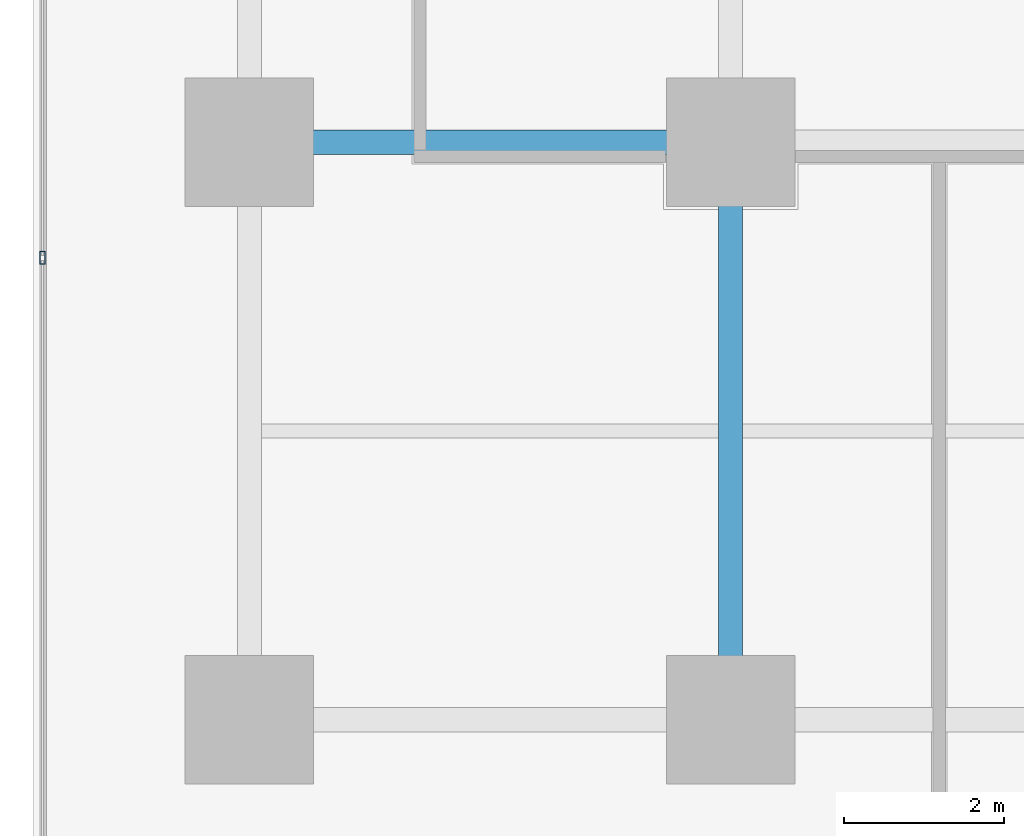
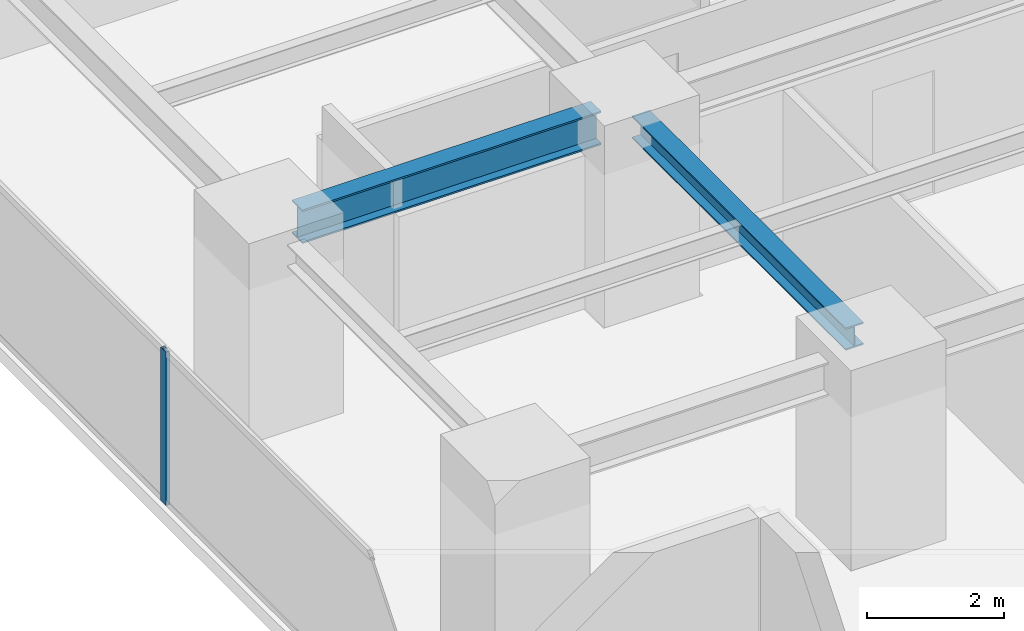
# One storey, part 4 of 34: 2 beams, 1 member, 1 element without a shape of its own.
"""IFC4 building model written with IfcOpenShell, lengths in metres."""

from ifc_helpers import new_model, si_unit, direction, frame, origin, origin_2d, place, context, subcontext, project, spatial, hollow_rectangle, i_section, extrude, source, transform, mapped, material, layer, layer_set, material_profile, profile_set, type_object, element, aggregate, save


model = new_model("IFC4")

# Units and contexts
model_context = context("Model", 3, precision=1e-05, world=origin(), true_north=direction((0.0, 1.0)))
body_context = subcontext(model_context, "Body", "Model", "MODEL_VIEW")
ifc_project = project(units=[si_unit("LENGTHUNIT", "METRE"), si_unit("AREAUNIT", "SQUARE_METRE"), si_unit("VOLUMEUNIT", "CUBIC_METRE"), si_unit("PLANEANGLEUNIT", "RADIAN"), si_unit("MASSUNIT", "GRAM", prefix="KILO")], contexts=[model_context])

# Site, building, storey
site_placement = place(None, origin())
site = spatial("IfcSite", under=ifc_project, at=site_placement, CompositionType="ELEMENT")
building_placement = place(site_placement, origin())
building = spatial("IfcBuilding", under=site, at=building_placement, Name="Sumidabori Civic Tower", CompositionType="ELEMENT")
storey_placement = place(building_placement, frame((0.0, 0.0, 99.199951171875)))
storey = spatial("IfcBuildingStorey", under=building, at=storey_placement, Name="L25", CompositionType="ELEMENT", Elevation=99.199951171875)

# Beams
ifc_material_1 = material(Name="Steel SN490", Category="steel")
ifc_material_profile_1 = material_profile(ifc_material_1, i_section(OverallWidth=0.300048828125, OverallDepth=0.60009765625, WebThickness=0.015380859375, FlangeThickness=0.030029296875, at=origin_2d()), Name="HE 600 B")
ifc_profile_set_1 = profile_set([ifc_material_profile_1], Name="Steel SN490")
beam_type_1 = type_object("IfcBeamType", Name="BM-GIRD-600", PredefinedType="BEAM", material=ifc_profile_set_1)
shared_shape_1 = source(origin(), body_context, "Body", "SweptSolid", [
    extrude(i_section(OverallWidth=0.300048828125, OverallDepth=0.60009765625, WebThickness=0.015380859375, FlangeThickness=0.030029296875, at=origin_2d()), origin(), (0.0, 0.0, 1.0), 5.0400390625),
])
beam_1_placement = place(storey_placement, frame((-22.320068359375, -10.800048828125, 3.06005859375), z_axis=(1.0, 0.0, 0.0), x_axis=(0.0, 1.0, 0.0)))
element("IfcBeam", 1, at=beam_1_placement, inside=storey, type_object=beam_type_1, Name="Primary Girder L25 GX-07", PredefinedType="BEAM", context=body_context, shape_type="MappedRepresentation", body=[
    mapped(shared_shape_1, transform((0.0, 0.0, 0.0), x_axis=(1.0, 0.0, 0.0), y_axis=(0.0, 1.0, 0.0), z_axis=(0.0, 0.0, 1.0), scale=1.0)),
])
ifc_material_profile_2 = material_profile(ifc_material_1, i_section(OverallWidth=0.300048828125, OverallDepth=0.39990234375, WebThickness=0.013427734375, FlangeThickness=0.02392578125, at=origin_2d()), Name="HE 400 B")
ifc_profile_set_2 = profile_set([ifc_material_profile_2], Name="Steel SN490")
beam_type_2 = type_object("IfcBeamType", Name="BM-GIRD-400", PredefinedType="BEAM", material=ifc_profile_set_2)
shared_shape_2 = source(origin(), body_context, "Body", "SweptSolid", [
    extrude(i_section(OverallWidth=0.300048828125, OverallDepth=0.39990234375, WebThickness=0.013427734375, FlangeThickness=0.02392578125, at=origin_2d()), origin(), (0.0, 0.0, 1.0), 6.239990234375),
])
beam_2_placement = place(storey_placement, frame((-16.800048828125, -17.52001953125, 3.16015625), z_axis=(0.0, 1.0, 0.0), x_axis=(-1.0, 0.0, 0.0)))
element("IfcBeam", 2, at=beam_2_placement, inside=storey, type_object=beam_type_2, Name="Primary Girder L25 GY-25", PredefinedType="BEAM", context=body_context, shape_type="MappedRepresentation", body=[
    mapped(shared_shape_2, transform((0.0, 0.0, 0.0), x_axis=(1.0, 0.0, 0.0), y_axis=(0.0, 1.0, 0.0), z_axis=(0.0, 0.0, 1.0), scale=1.0)),
])

# Curtain wall, member
ifc_material_2 = material(Name="Anodised Bronze Aluminium AW-6063-T6", Category="aluminium")
ifc_layer = layer(ifc_material_2, 0.179931640625, Name="Anodised Bronze Aluminium AW-6063-T6")
ifc_layer_set = layer_set([ifc_layer], Name="Anodised Bronze Aluminium AW-6063-T6")
curtain_wall_type = type_object("IfcCurtainWallType", Name="CW-SYS-3", PredefinedType="NOTDEFINED", material=ifc_layer_set)
curtain_wall_placement = place(storey_placement, origin())
curtain_wall = element("IfcCurtainWall", 3, at=curtain_wall_placement, inside=storey, type_object=curtain_wall_type, Name="Curtain Wall CW:L25:R10", PredefinedType="NOTDEFINED")
ifc_material_profile_3 = material_profile(ifc_material_2, hollow_rectangle(XDim=0.06494140625, YDim=0.159912109375, WallThickness=0.0048828125, at=origin_2d()), Name="ALU MULLION 160x65")
ifc_profile_set_3 = profile_set([ifc_material_profile_3], Name="Anodised Bronze Aluminium AW-6063-T6")
member_type = type_object("IfcMemberType", Name="CW-MUL-160", PredefinedType="MULLION", material=ifc_profile_set_3)
shared_shape_3 = source(origin(), body_context, "Body", "SweptSolid", [
    extrude(hollow_rectangle(XDim=0.06494140625, YDim=0.159912109375, WallThickness=0.0048828125, at=origin_2d()), origin(), (0.0, 0.0, 1.0), 2.739990234375),
])
member_placement = place(storey_placement, frame((-25.3798828125, -12.241943359375, 0.0), z_axis=(0.0, 0.0, 1.0), x_axis=(1.0, 0.0, 0.0)))
member = element("IfcMember", 4, at=member_placement, type_object=member_type, Name="CW-3 mullion 5", PredefinedType="MULLION", context=body_context, shape_type="MappedRepresentation", body=[
    mapped(shared_shape_3, transform((0.0, 0.0, 0.0), x_axis=(1.0, 0.0, 0.0), y_axis=(0.0, 1.0, 0.0), z_axis=(0.0, 0.0, 1.0), scale=1.0)),
])
aggregate(curtain_wall, [member])

save(model, "model.ifc")
